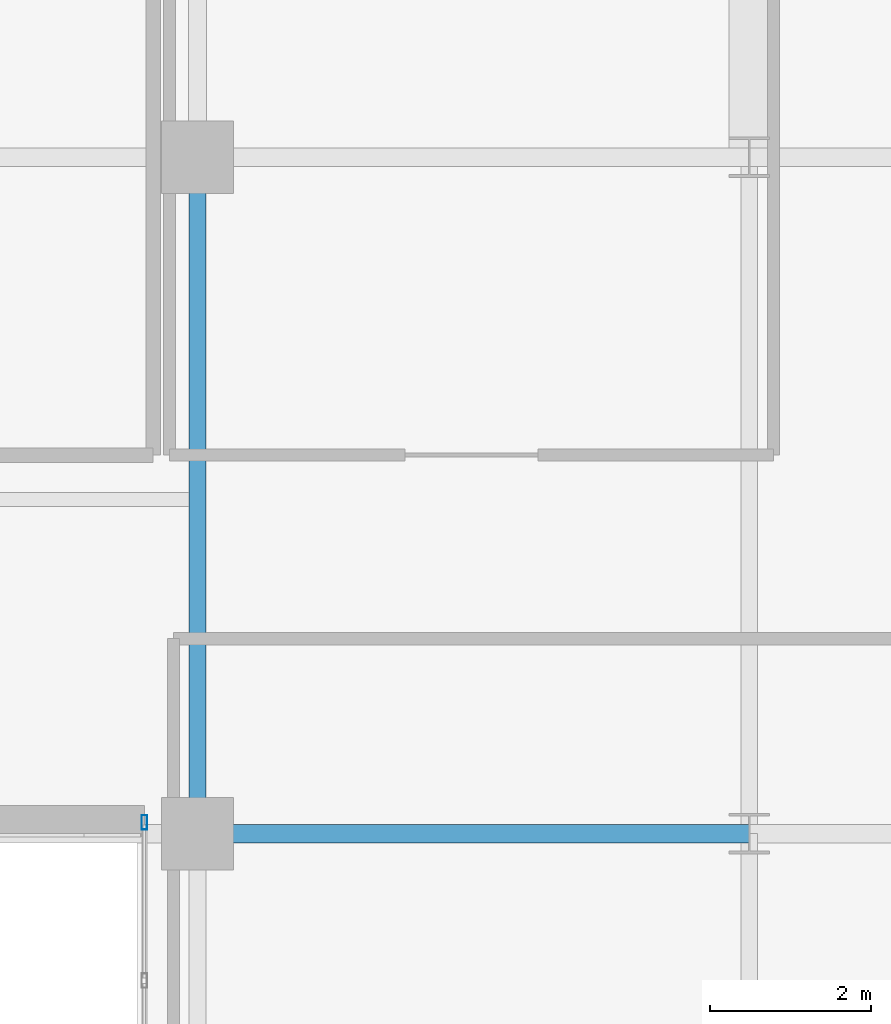
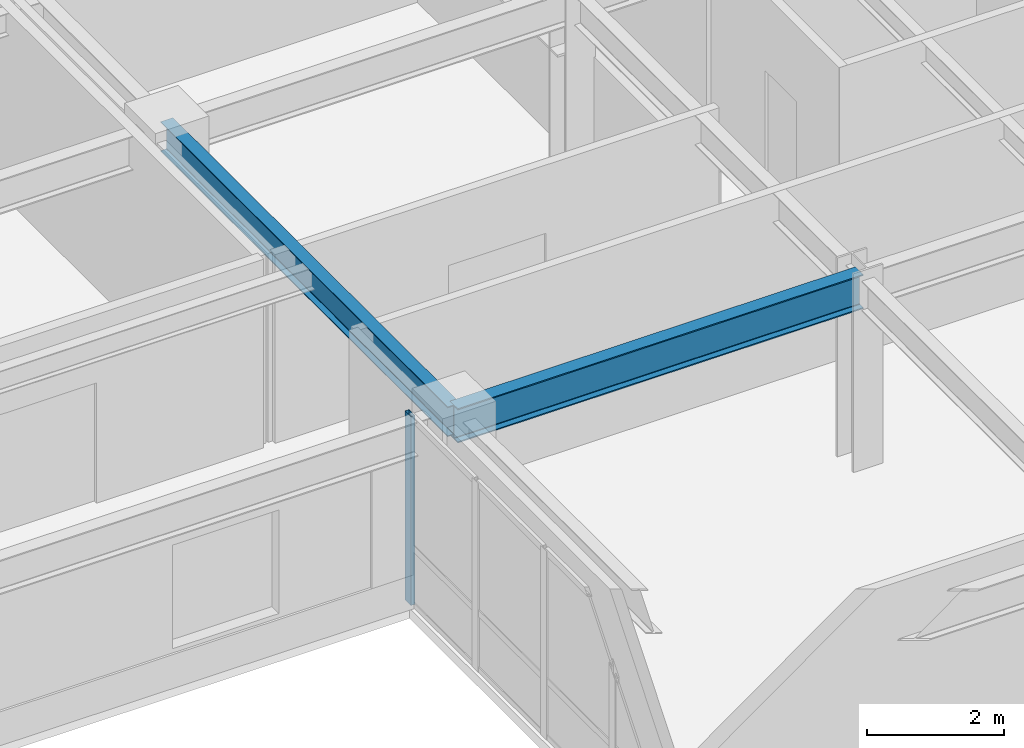
# One storey, part 18 of 37: 2 beams, 1 member, 1 element without a shape of its own.
"""IFC4 building model written with IfcOpenShell, lengths in metres."""

from ifc_helpers import new_model, si_unit, direction, frame, origin, origin_2d, place, context, subcontext, project, spatial, hollow_rectangle, i_section, extrude, source, transform, mapped, material, layer, layer_set, material_profile, profile_set, type_object, type_shapes, element, aggregate, save


model = new_model("IFC4")

# Units and contexts
model_context = context("Model", 3, precision=1e-05, world=origin(), true_north=direction((0.0, 1.0)))
body_context = subcontext(model_context, "Body", "Model", "MODEL_VIEW")
ifc_project = project(units=[si_unit("LENGTHUNIT", "METRE"), si_unit("AREAUNIT", "SQUARE_METRE"), si_unit("VOLUMEUNIT", "CUBIC_METRE"), si_unit("PLANEANGLEUNIT", "RADIAN"), si_unit("MASSUNIT", "GRAM", prefix="KILO")], contexts=[model_context])

# Site, building, storey
site_placement = place(None, origin())
site = spatial("IfcSite", under=ifc_project, at=site_placement, CompositionType="ELEMENT")
building_placement = place(site_placement, origin())
building = spatial("IfcBuilding", under=site, at=building_placement, Name="Tolvann Quenvar Hotel", CompositionType="ELEMENT")
storey_placement = place(building_placement, frame((0.0, 0.0, 104.449951171875)))
storey = spatial("IfcBuildingStorey", under=building, at=storey_placement, Name="L26", CompositionType="ELEMENT", Elevation=104.449951171875)

# Beams
ifc_material_1 = material(Name="Steel Grade 350", Category="steel")
ifc_material_profile_1 = material_profile(ifc_material_1, i_section(OverallWidth=0.22900390625, OverallDepth=0.612060546875, WebThickness=0.011962890625, FlangeThickness=0.01953125, FilletRadius=0.013916015625, at=origin_2d()), Name="610UB125")
ifc_profile_set_1 = profile_set([ifc_material_profile_1], Name="Steel Grade 350")
beam_type_1 = type_object("IfcBeamType", Name="BM_GIRD_610UB125", PredefinedType="BEAM", material=ifc_profile_set_1)
shared_shape_1 = source(origin(), body_context, "Body", "SweptSolid", [
    extrude(i_section(OverallWidth=0.22900390625, OverallDepth=0.612060546875, WebThickness=0.011962890625, FlangeThickness=0.01953125, FilletRadius=0.013916015625, at=origin_2d()), origin(), (0.0, 0.0, 1.0), 6.85009765625),
])
type_shapes(beam_type_1, [shared_shape_1])
beam_1_placement = place(storey_placement, frame((34.949951171875, 16.0, 3.06396484375), z_axis=(1.0, 0.0, 0.0), x_axis=(0.0, 1.0, 0.0)))
element("IfcBeam", 1, at=beam_1_placement, inside=storey, type_object=beam_type_1, Name="BM-L26-EW-4-F4-H4", PredefinedType="BEAM", context=body_context, shape_type="MappedRepresentation", body=[
    mapped(shared_shape_1, transform((0.0, 0.0, 0.0), x_axis=(1.0, 0.0, 0.0), y_axis=(0.0, 1.0, 0.0), z_axis=(0.0, 0.0, 1.0), scale=1.0)),
])
ifc_material_profile_2 = material_profile(ifc_material_1, i_section(OverallWidth=0.208984375, OverallDepth=0.532958984375, WebThickness=0.01025390625, FlangeThickness=0.015625, FilletRadius=0.013916015625, at=origin_2d()), Name="530UB92")
ifc_profile_set_2 = profile_set([ifc_material_profile_2], Name="Steel Grade 350")
beam_type_2 = type_object("IfcBeamType", Name="BM_GIRD_530UB92", PredefinedType="BEAM", material=ifc_profile_set_2)
shared_shape_2 = source(origin(), body_context, "Body", "SweptSolid", [
    extrude(i_section(OverallWidth=0.208984375, OverallDepth=0.532958984375, WebThickness=0.01025390625, FlangeThickness=0.015625, FilletRadius=0.013916015625, at=origin_2d()), origin(), (0.0, 0.0, 1.0), 8.39990234375),
])
type_shapes(beam_type_2, [shared_shape_2])
beam_2_placement = place(storey_placement, frame((34.949951171875, 16.0, 3.103515625), z_axis=(0.0, 1.0, 0.0), x_axis=(-1.0, 0.0, 0.0)))
element("IfcBeam", 2, at=beam_2_placement, inside=storey, type_object=beam_type_2, Name="BM-L26-NS-F4-F5", PredefinedType="BEAM", context=body_context, shape_type="MappedRepresentation", body=[
    mapped(shared_shape_2, transform((0.0, 0.0, 0.0), x_axis=(1.0, 0.0, 0.0), y_axis=(0.0, 1.0, 0.0), z_axis=(0.0, 0.0, 1.0), scale=1.0)),
])

# Curtain wall, member
ifc_material_2 = material(Name="Thermally broken anodised architectural aluminium 6063-T6 and laminated low-E glass", Category="aluminium")
ifc_layer = layer(ifc_material_2, 0.179931640625)
ifc_layer_set = layer_set([ifc_layer], Name="Thermally broken anodised architectural aluminium 6063-T6 and laminated low-E glass")
curtain_wall_type = type_object("IfcCurtainWallType", Name="CW_SYS_SLOT_03", PredefinedType="USERDEFINED", material=ifc_layer_set)
curtain_wall_placement = place(storey_placement, origin())
curtain_wall = element("IfcCurtainWall", 3, at=curtain_wall_placement, inside=storey, type_object=curtain_wall_type, Name="Curtain Wall CW-SLOT-03 (CWR-L26-E07)", ObjectType="UNITISED CURTAIN WALL", PredefinedType="USERDEFINED")
ifc_material_3 = material(Name="Anodised architectural aluminium 6063-T6 framing", Category="aluminium")
ifc_material_profile_3 = material_profile(ifc_material_3, hollow_rectangle(XDim=0.070068359375, YDim=0.179931640625, WallThickness=0.00390625, at=origin_2d()), Name="180x70x4RHS")
ifc_profile_set_3 = profile_set([ifc_material_profile_3], Name="Anodised architectural aluminium 6063-T6 framing")
member_type = type_object("IfcMemberType", Name="CW_MULL_180x70", PredefinedType="MULLION", material=ifc_profile_set_3)
shared_shape_3 = source(origin(), body_context, "Body", "SweptSolid", [
    extrude(hollow_rectangle(XDim=0.070068359375, YDim=0.179931640625, WallThickness=0.00390625, at=origin_2d()), origin(), (0.0, 0.0, 1.0), 3.3701171875),
])
type_shapes(member_type, [shared_shape_3])
member_placement = place(storey_placement, frame((34.2900390625, 16.139892578125, 0.0), z_axis=(0.0, 0.0, 1.0), x_axis=(1.0, 0.0, 0.0)))
member = element("IfcMember", 4, at=member_placement, type_object=member_type, Name="CW-SLOT-03 mullion 1", PredefinedType="MULLION", context=body_context, shape_type="MappedRepresentation", body=[
    mapped(shared_shape_3, transform((0.0, 0.0, 0.0), x_axis=(1.0, 0.0, 0.0), y_axis=(0.0, 1.0, 0.0), z_axis=(0.0, 0.0, 1.0), scale=1.0)),
])
aggregate(curtain_wall, [member])

save(model, "model.ifc")
